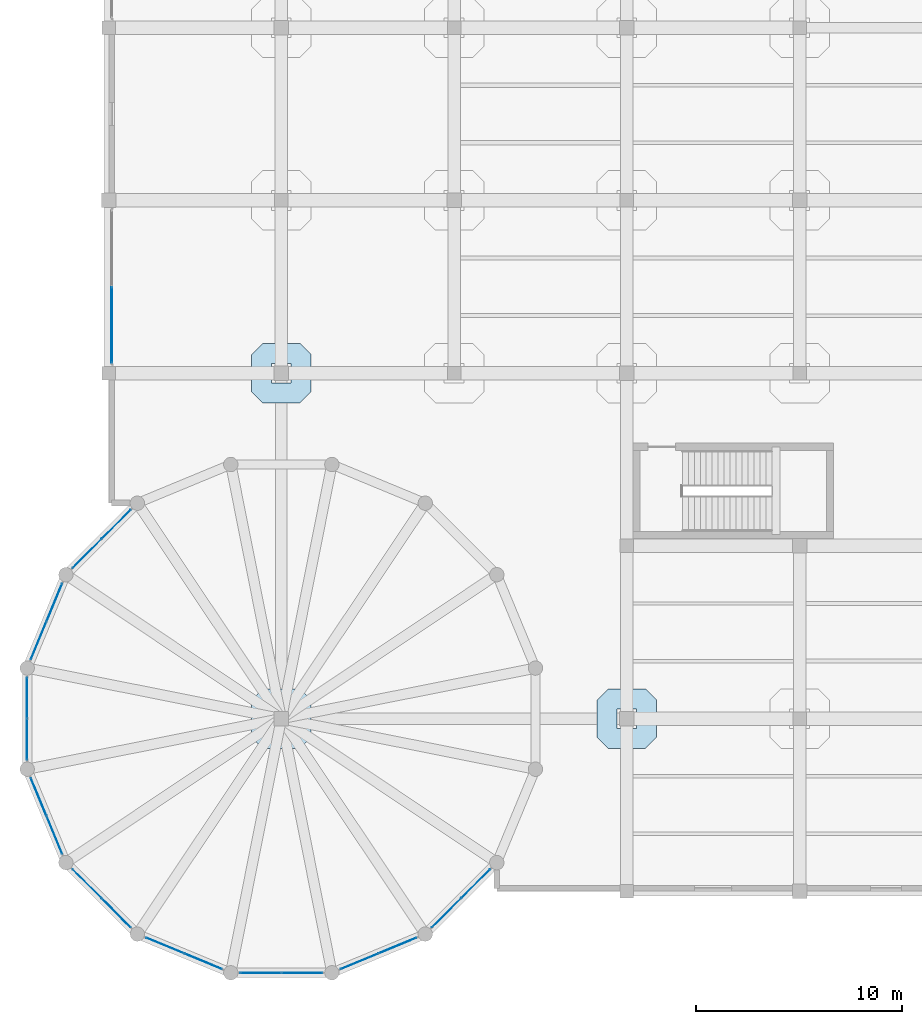
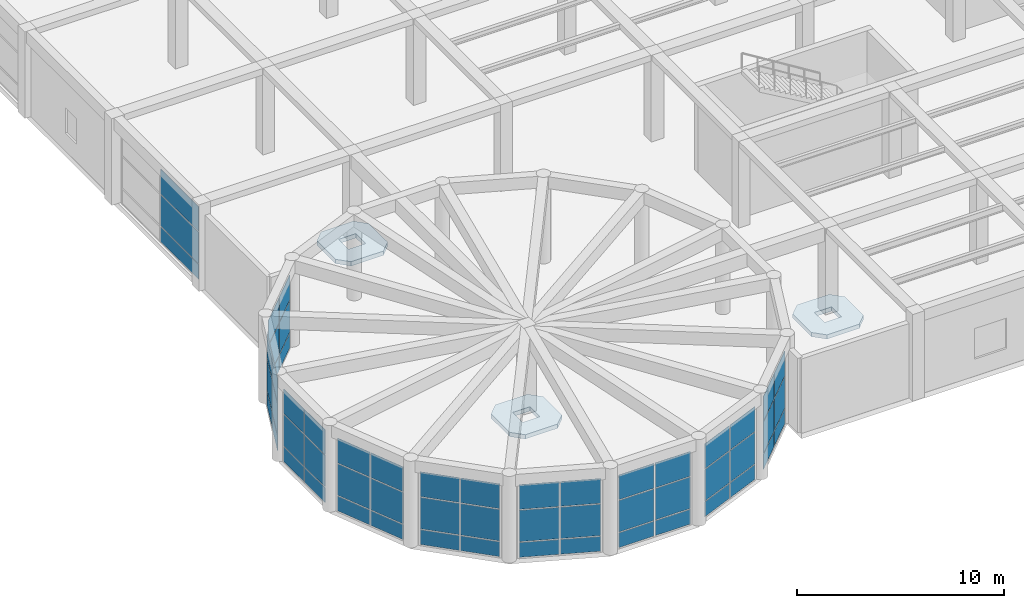
# One storey, part 68 of 96: 57 plates, 3 slabs, 10 elements without a shape of their own.
"""IFC4 building model written with IfcOpenShell, lengths in metres."""

from ifc_helpers import new_model, si_unit, direction, frame, origin, origin_2d, place, context, subcontext, project, spatial, polyline, rectangle, outline, extrude, material, layer, layer_set, type_object, element, aggregate, save


model = new_model("IFC4")

# Units and contexts
model_context = context("Model", 3, precision=1e-05, world=origin(), true_north=direction((0.0, 1.0)))
body_context = subcontext(model_context, "Body", "Model", "MODEL_VIEW")
ifc_project = project(units=[si_unit("LENGTHUNIT", "METRE"), si_unit("AREAUNIT", "SQUARE_METRE"), si_unit("VOLUMEUNIT", "CUBIC_METRE"), si_unit("PLANEANGLEUNIT", "RADIAN"), si_unit("MASSUNIT", "GRAM", prefix="KILO")], contexts=[model_context])

# Site, building, storey
site_placement = place(None, origin())
site = spatial("IfcSite", under=ifc_project, at=site_placement, CompositionType="ELEMENT")
building_placement = place(site_placement, origin())
building = spatial("IfcBuilding", under=site, at=building_placement, Name="Almacenes y Pasaje Nevantli", CompositionType="ELEMENT")
storey_placement = place(building_placement, frame((0.0, 0.0, 6.0)))
storey = spatial("IfcBuildingStorey", under=building, at=storey_placement, Name="L02", CompositionType="ELEMENT", Elevation=6.0)

# Curtain wall, plates
ifc_material_1 = material(Name="Thermally Broken Aluminium and Low-E Glass", Category="aluminium")
curtain_wall_type_1 = type_object("IfcCurtainWallType", Name="CW-UNIT-ROTUNDA", PredefinedType="USERDEFINED", material=ifc_material_1)
curtain_wall_1_placement = place(storey_placement, origin())
curtain_wall_1 = element("IfcCurtainWall", 1, at=curtain_wall_1_placement, inside=storey, type_object=curtain_wall_type_1, Name="L02 Corner Rotunda Faceted Curtain Wall Facet #6", ObjectType="UNITIZED CURTAIN WALL", PredefinedType="USERDEFINED")
ifc_material_2 = material(Name="Tempered Clear Storefront Glazing", Category="glass")
ifc_layer_1 = layer(ifc_material_2, 0.02392578125)
ifc_layer_set_1 = layer_set([ifc_layer_1], Name="Tempered Clear Storefront Glazing")
plate_type_1 = type_object("IfcPlateType", Name="PL-IGU-24", PredefinedType="CURTAIN_PANEL", material=ifc_layer_set_1)
plate_1_placement = place(storey_placement, frame((0.373291015625, 17.85009765625, 0.050048828125), z_axis=(0.0, 0.0, 1.0), x_axis=(-0.707106781187, -0.707106781187, 0.0)))
plate_1 = element("IfcPlate", 2, at=plate_1_placement, type_object=plate_type_1, Name="CW-L02-025 panel 1.1", PredefinedType="CURTAIN_PANEL", context=body_context, shape_type="SweptSolid", body=[
    extrude(rectangle(XDim=1.963134765625, YDim=0.02392578125, at=origin_2d()), origin(), (0.0, 0.0, 1.0), 0.875),
])
plate_2_placement = place(storey_placement, frame((0.373291015625, 17.85009765625, 0.974853515625), z_axis=(0.0, 0.0, 1.0), x_axis=(-0.707106781187, -0.707106781187, 0.0)))
plate_2 = element("IfcPlate", 3, at=plate_2_placement, type_object=plate_type_1, Name="CW-L02-025 panel 1.2", PredefinedType="CURTAIN_PANEL", context=body_context, shape_type="SweptSolid", body=[
    extrude(rectangle(XDim=1.963134765625, YDim=0.02392578125, at=origin_2d()), origin(), (0.0, 0.0, 1.0), 1.85009765625),
])
plate_3_placement = place(storey_placement, frame((0.373291015625, 17.85009765625, 2.875), z_axis=(0.0, 0.0, 1.0), x_axis=(-0.707106781187, -0.707106781187, 0.0)))
plate_3 = element("IfcPlate", 4, at=plate_3_placement, type_object=plate_type_1, Name="CW-L02-025 panel 1.3", PredefinedType="CURTAIN_PANEL", context=body_context, shape_type="SweptSolid", body=[
    extrude(rectangle(XDim=1.963134765625, YDim=0.02392578125, at=origin_2d()), origin(), (0.0, 0.0, 1.0), 1.455078125),
])
plate_4_placement = place(storey_placement, frame((-1.050048828125, 16.426513671875, 0.050048828125), z_axis=(0.0, 0.0, 1.0), x_axis=(-0.707106781187, -0.707106781187, 0.0)))
plate_4 = element("IfcPlate", 5, at=plate_4_placement, type_object=plate_type_1, Name="CW-L02-025 panel 2.1", PredefinedType="CURTAIN_PANEL", context=body_context, shape_type="SweptSolid", body=[
    extrude(rectangle(XDim=1.963134765625, YDim=0.02392578125, at=origin_2d()), origin(), (0.0, 0.0, 1.0), 0.875),
])
plate_5_placement = place(storey_placement, frame((-1.050048828125, 16.426513671875, 0.974853515625), z_axis=(0.0, 0.0, 1.0), x_axis=(-0.707106781187, -0.707106781187, 0.0)))
plate_5 = element("IfcPlate", 6, at=plate_5_placement, type_object=plate_type_1, Name="CW-L02-025 panel 2.2", PredefinedType="CURTAIN_PANEL", context=body_context, shape_type="SweptSolid", body=[
    extrude(rectangle(XDim=1.963134765625, YDim=0.02392578125, at=origin_2d()), origin(), (0.0, 0.0, 1.0), 1.85009765625),
])
plate_6_placement = place(storey_placement, frame((-1.050048828125, 16.426513671875, 2.875), z_axis=(0.0, 0.0, 1.0), x_axis=(-0.707106781187, -0.707106781187, 0.0)))
plate_6 = element("IfcPlate", 7, at=plate_6_placement, type_object=plate_type_1, Name="CW-L02-025 panel 2.3", PredefinedType="CURTAIN_PANEL", context=body_context, shape_type="SweptSolid", body=[
    extrude(rectangle(XDim=1.963134765625, YDim=0.02392578125, at=origin_2d()), origin(), (0.0, 0.0, 1.0), 1.455078125),
])
aggregate(curtain_wall_1, [plate_1, plate_2, plate_3, plate_4, plate_5, plate_6])

curtain_wall_2_placement = place(storey_placement, origin())
curtain_wall_2 = element("IfcCurtainWall", 8, at=curtain_wall_2_placement, inside=storey, type_object=curtain_wall_type_1, Name="L02 Corner Rotunda Faceted Curtain Wall Facet #7", ObjectType="UNITIZED CURTAIN WALL", PredefinedType="USERDEFINED")
plate_7_placement = place(storey_placement, frame((-2.632080078125, 14.05908203125, 0.050048828125), z_axis=(0.0, 0.0, 1.0), x_axis=(-0.382698450865, -0.923873311502, 0.0)))
plate_7 = element("IfcPlate", 9, at=plate_7_placement, type_object=plate_type_1, Name="CW-L02-026 panel 1.1", PredefinedType="CURTAIN_PANEL", context=body_context, shape_type="SweptSolid", body=[
    extrude(rectangle(XDim=1.963134765625, YDim=0.02392578125, at=origin_2d()), origin(), (0.0, 0.0, 1.0), 0.875),
])
plate_8_placement = place(storey_placement, frame((-2.632080078125, 14.05908203125, 0.974853515625), z_axis=(0.0, 0.0, 1.0), x_axis=(-0.382698450865, -0.923873311502, 0.0)))
plate_8 = element("IfcPlate", 10, at=plate_8_placement, type_object=plate_type_1, Name="CW-L02-026 panel 1.2", PredefinedType="CURTAIN_PANEL", context=body_context, shape_type="SweptSolid", body=[
    extrude(rectangle(XDim=1.963134765625, YDim=0.02392578125, at=origin_2d()), origin(), (0.0, 0.0, 1.0), 1.85009765625),
])
plate_9_placement = place(storey_placement, frame((-2.632080078125, 14.05908203125, 2.875), z_axis=(0.0, 0.0, 1.0), x_axis=(-0.382698450865, -0.923873311502, 0.0)))
plate_9 = element("IfcPlate", 11, at=plate_9_placement, type_object=plate_type_1, Name="CW-L02-026 panel 1.3", PredefinedType="CURTAIN_PANEL", context=body_context, shape_type="SweptSolid", body=[
    extrude(rectangle(XDim=1.963134765625, YDim=0.02392578125, at=origin_2d()), origin(), (0.0, 0.0, 1.0), 1.455078125),
])
plate_10_placement = place(storey_placement, frame((-3.40234375, 12.19921875, 0.050048828125), z_axis=(0.0, 0.0, 1.0), x_axis=(-0.382698450865, -0.923873311502, 0.0)))
plate_10 = element("IfcPlate", 12, at=plate_10_placement, type_object=plate_type_1, Name="CW-L02-026 panel 2.1", PredefinedType="CURTAIN_PANEL", context=body_context, shape_type="SweptSolid", body=[
    extrude(rectangle(XDim=1.963134765625, YDim=0.02392578125, at=origin_2d()), origin(), (0.0, 0.0, 1.0), 0.875),
])
plate_11_placement = place(storey_placement, frame((-3.40234375, 12.19921875, 0.974853515625), z_axis=(0.0, 0.0, 1.0), x_axis=(-0.382698450865, -0.923873311502, 0.0)))
plate_11 = element("IfcPlate", 13, at=plate_11_placement, type_object=plate_type_1, Name="CW-L02-026 panel 2.2", PredefinedType="CURTAIN_PANEL", context=body_context, shape_type="SweptSolid", body=[
    extrude(rectangle(XDim=1.963134765625, YDim=0.02392578125, at=origin_2d()), origin(), (0.0, 0.0, 1.0), 1.85009765625),
])
plate_12_placement = place(storey_placement, frame((-3.40234375, 12.19921875, 2.875), z_axis=(0.0, 0.0, 1.0), x_axis=(-0.382698450865, -0.923873311502, 0.0)))
plate_12 = element("IfcPlate", 14, at=plate_12_placement, type_object=plate_type_1, Name="CW-L02-026 panel 2.3", PredefinedType="CURTAIN_PANEL", context=body_context, shape_type="SweptSolid", body=[
    extrude(rectangle(XDim=1.963134765625, YDim=0.02392578125, at=origin_2d()), origin(), (0.0, 0.0, 1.0), 1.455078125),
])
aggregate(curtain_wall_2, [plate_7, plate_8, plate_9, plate_10, plate_11, plate_12])

curtain_wall_3_placement = place(storey_placement, origin())
curtain_wall_3 = element("IfcCurtainWall", 15, at=curtain_wall_3_placement, inside=storey, type_object=curtain_wall_type_1, Name="L02 Corner Rotunda Faceted Curtain Wall Facet #8", ObjectType="UNITIZED CURTAIN WALL", PredefinedType="USERDEFINED")
plate_13_placement = place(storey_placement, frame((-3.9580078125, 9.406494140625, 0.050048828125), z_axis=(0.0, 0.0, 1.0), x_axis=(0.0, -1.0, 0.0)))
plate_13 = element("IfcPlate", 16, at=plate_13_placement, type_object=plate_type_1, Name="CW-L02-027 panel 1.1", PredefinedType="CURTAIN_PANEL", context=body_context, shape_type="SweptSolid", body=[
    extrude(rectangle(XDim=1.963134765625, YDim=0.02392578125, at=origin_2d()), origin(), (0.0, 0.0, 1.0), 0.875),
])
plate_14_placement = place(storey_placement, frame((-3.9580078125, 9.406494140625, 0.974853515625), z_axis=(0.0, 0.0, 1.0), x_axis=(0.0, -1.0, 0.0)))
plate_14 = element("IfcPlate", 17, at=plate_14_placement, type_object=plate_type_1, Name="CW-L02-027 panel 1.2", PredefinedType="CURTAIN_PANEL", context=body_context, shape_type="SweptSolid", body=[
    extrude(rectangle(XDim=1.963134765625, YDim=0.02392578125, at=origin_2d()), origin(), (0.0, 0.0, 1.0), 1.85009765625),
])
plate_15_placement = place(storey_placement, frame((-3.9580078125, 9.406494140625, 2.875), z_axis=(0.0, 0.0, 1.0), x_axis=(0.0, -1.0, 0.0)))
plate_15 = element("IfcPlate", 18, at=plate_15_placement, type_object=plate_type_1, Name="CW-L02-027 panel 1.3", PredefinedType="CURTAIN_PANEL", context=body_context, shape_type="SweptSolid", body=[
    extrude(rectangle(XDim=1.963134765625, YDim=0.02392578125, at=origin_2d()), origin(), (0.0, 0.0, 1.0), 1.455078125),
])
plate_16_placement = place(storey_placement, frame((-3.9580078125, 7.3935546875, 0.050048828125), z_axis=(0.0, 0.0, 1.0), x_axis=(0.0, -1.0, 0.0)))
plate_16 = element("IfcPlate", 19, at=plate_16_placement, type_object=plate_type_1, Name="CW-L02-027 panel 2.1", PredefinedType="CURTAIN_PANEL", context=body_context, shape_type="SweptSolid", body=[
    extrude(rectangle(XDim=1.963134765625, YDim=0.02392578125, at=origin_2d()), origin(), (0.0, 0.0, 1.0), 0.875),
])
plate_17_placement = place(storey_placement, frame((-3.9580078125, 7.3935546875, 0.974853515625), z_axis=(0.0, 0.0, 1.0), x_axis=(0.0, -1.0, 0.0)))
plate_17 = element("IfcPlate", 20, at=plate_17_placement, type_object=plate_type_1, Name="CW-L02-027 panel 2.2", PredefinedType="CURTAIN_PANEL", context=body_context, shape_type="SweptSolid", body=[
    extrude(rectangle(XDim=1.963134765625, YDim=0.02392578125, at=origin_2d()), origin(), (0.0, 0.0, 1.0), 1.85009765625),
])
plate_18_placement = place(storey_placement, frame((-3.9580078125, 7.3935546875, 2.875), z_axis=(0.0, 0.0, 1.0), x_axis=(0.0, -1.0, 0.0)))
plate_18 = element("IfcPlate", 21, at=plate_18_placement, type_object=plate_type_1, Name="CW-L02-027 panel 2.3", PredefinedType="CURTAIN_PANEL", context=body_context, shape_type="SweptSolid", body=[
    extrude(rectangle(XDim=1.963134765625, YDim=0.02392578125, at=origin_2d()), origin(), (0.0, 0.0, 1.0), 1.455078125),
])
aggregate(curtain_wall_3, [plate_13, plate_14, plate_15, plate_16, plate_17, plate_18])

curtain_wall_4_placement = place(storey_placement, origin())
curtain_wall_4 = element("IfcCurtainWall", 22, at=curtain_wall_4_placement, inside=storey, type_object=curtain_wall_type_1, Name="L02 Corner Rotunda Faceted Curtain Wall Facet #9", ObjectType="UNITIZED CURTAIN WALL", PredefinedType="USERDEFINED")
plate_19_placement = place(storey_placement, frame((-3.40234375, 4.600830078125, 0.050048828125), z_axis=(0.0, 0.0, 1.0), x_axis=(0.382698450865, -0.923873311502, 0.0)))
plate_19 = element("IfcPlate", 23, at=plate_19_placement, type_object=plate_type_1, Name="CW-L02-028 panel 1.1", PredefinedType="CURTAIN_PANEL", context=body_context, shape_type="SweptSolid", body=[
    extrude(rectangle(XDim=1.963134765625, YDim=0.02392578125, at=origin_2d()), origin(), (0.0, 0.0, 1.0), 0.875),
])
plate_20_placement = place(storey_placement, frame((-3.40234375, 4.600830078125, 0.974853515625), z_axis=(0.0, 0.0, 1.0), x_axis=(0.382698450865, -0.923873311502, 0.0)))
plate_20 = element("IfcPlate", 24, at=plate_20_placement, type_object=plate_type_1, Name="CW-L02-028 panel 1.2", PredefinedType="CURTAIN_PANEL", context=body_context, shape_type="SweptSolid", body=[
    extrude(rectangle(XDim=1.963134765625, YDim=0.02392578125, at=origin_2d()), origin(), (0.0, 0.0, 1.0), 1.85009765625),
])
plate_21_placement = place(storey_placement, frame((-3.40234375, 4.600830078125, 2.875), z_axis=(0.0, 0.0, 1.0), x_axis=(0.382698450865, -0.923873311502, 0.0)))
plate_21 = element("IfcPlate", 25, at=plate_21_placement, type_object=plate_type_1, Name="CW-L02-028 panel 1.3", PredefinedType="CURTAIN_PANEL", context=body_context, shape_type="SweptSolid", body=[
    extrude(rectangle(XDim=1.963134765625, YDim=0.02392578125, at=origin_2d()), origin(), (0.0, 0.0, 1.0), 1.455078125),
])
plate_22_placement = place(storey_placement, frame((-2.632080078125, 2.740966796875, 0.050048828125), z_axis=(0.0, 0.0, 1.0), x_axis=(0.382698450865, -0.923873311502, 0.0)))
plate_22 = element("IfcPlate", 26, at=plate_22_placement, type_object=plate_type_1, Name="CW-L02-028 panel 2.1", PredefinedType="CURTAIN_PANEL", context=body_context, shape_type="SweptSolid", body=[
    extrude(rectangle(XDim=1.963134765625, YDim=0.02392578125, at=origin_2d()), origin(), (0.0, 0.0, 1.0), 0.875),
])
plate_23_placement = place(storey_placement, frame((-2.632080078125, 2.740966796875, 0.974853515625), z_axis=(0.0, 0.0, 1.0), x_axis=(0.382698450865, -0.923873311502, 0.0)))
plate_23 = element("IfcPlate", 27, at=plate_23_placement, type_object=plate_type_1, Name="CW-L02-028 panel 2.2", PredefinedType="CURTAIN_PANEL", context=body_context, shape_type="SweptSolid", body=[
    extrude(rectangle(XDim=1.963134765625, YDim=0.02392578125, at=origin_2d()), origin(), (0.0, 0.0, 1.0), 1.85009765625),
])
plate_24_placement = place(storey_placement, frame((-2.632080078125, 2.740966796875, 2.875), z_axis=(0.0, 0.0, 1.0), x_axis=(0.382698450865, -0.923873311502, 0.0)))
plate_24 = element("IfcPlate", 28, at=plate_24_placement, type_object=plate_type_1, Name="CW-L02-028 panel 2.3", PredefinedType="CURTAIN_PANEL", context=body_context, shape_type="SweptSolid", body=[
    extrude(rectangle(XDim=1.963134765625, YDim=0.02392578125, at=origin_2d()), origin(), (0.0, 0.0, 1.0), 1.455078125),
])
aggregate(curtain_wall_4, [plate_19, plate_20, plate_21, plate_22, plate_23, plate_24])

curtain_wall_5_placement = place(storey_placement, origin())
curtain_wall_5 = element("IfcCurtainWall", 29, at=curtain_wall_5_placement, inside=storey, type_object=curtain_wall_type_1, Name="L02 Corner Rotunda Faceted Curtain Wall Facet #10", ObjectType="UNITIZED CURTAIN WALL", PredefinedType="USERDEFINED")
plate_25_placement = place(storey_placement, frame((-1.050048828125, 0.373291015625, 0.050048828125), z_axis=(0.0, 0.0, 1.0), x_axis=(0.707106781187, -0.707106781187, 0.0)))
plate_25 = element("IfcPlate", 30, at=plate_25_placement, type_object=plate_type_1, Name="CW-L02-029 panel 1.1", PredefinedType="CURTAIN_PANEL", context=body_context, shape_type="SweptSolid", body=[
    extrude(rectangle(XDim=1.963134765625, YDim=0.02392578125, at=origin_2d()), origin(), (0.0, 0.0, 1.0), 0.875),
])
plate_26_placement = place(storey_placement, frame((-1.050048828125, 0.373291015625, 0.974853515625), z_axis=(0.0, 0.0, 1.0), x_axis=(0.707106781187, -0.707106781187, 0.0)))
plate_26 = element("IfcPlate", 31, at=plate_26_placement, type_object=plate_type_1, Name="CW-L02-029 panel 1.2", PredefinedType="CURTAIN_PANEL", context=body_context, shape_type="SweptSolid", body=[
    extrude(rectangle(XDim=1.963134765625, YDim=0.02392578125, at=origin_2d()), origin(), (0.0, 0.0, 1.0), 1.85009765625),
])
plate_27_placement = place(storey_placement, frame((-1.050048828125, 0.373291015625, 2.875), z_axis=(0.0, 0.0, 1.0), x_axis=(0.707106781187, -0.707106781187, 0.0)))
plate_27 = element("IfcPlate", 32, at=plate_27_placement, type_object=plate_type_1, Name="CW-L02-029 panel 1.3", PredefinedType="CURTAIN_PANEL", context=body_context, shape_type="SweptSolid", body=[
    extrude(rectangle(XDim=1.963134765625, YDim=0.02392578125, at=origin_2d()), origin(), (0.0, 0.0, 1.0), 1.455078125),
])
plate_28_placement = place(storey_placement, frame((0.373291015625, -1.050048828125, 0.050048828125), z_axis=(0.0, 0.0, 1.0), x_axis=(0.707106781187, -0.707106781187, 0.0)))
plate_28 = element("IfcPlate", 33, at=plate_28_placement, type_object=plate_type_1, Name="CW-L02-029 panel 2.1", PredefinedType="CURTAIN_PANEL", context=body_context, shape_type="SweptSolid", body=[
    extrude(rectangle(XDim=1.963134765625, YDim=0.02392578125, at=origin_2d()), origin(), (0.0, 0.0, 1.0), 0.875),
])
plate_29_placement = place(storey_placement, frame((0.373291015625, -1.050048828125, 0.974853515625), z_axis=(0.0, 0.0, 1.0), x_axis=(0.707106781187, -0.707106781187, 0.0)))
plate_29 = element("IfcPlate", 34, at=plate_29_placement, type_object=plate_type_1, Name="CW-L02-029 panel 2.2", PredefinedType="CURTAIN_PANEL", context=body_context, shape_type="SweptSolid", body=[
    extrude(rectangle(XDim=1.963134765625, YDim=0.02392578125, at=origin_2d()), origin(), (0.0, 0.0, 1.0), 1.85009765625),
])
plate_30_placement = place(storey_placement, frame((0.373291015625, -1.050048828125, 2.875), z_axis=(0.0, 0.0, 1.0), x_axis=(0.707106781187, -0.707106781187, 0.0)))
plate_30 = element("IfcPlate", 35, at=plate_30_placement, type_object=plate_type_1, Name="CW-L02-029 panel 2.3", PredefinedType="CURTAIN_PANEL", context=body_context, shape_type="SweptSolid", body=[
    extrude(rectangle(XDim=1.963134765625, YDim=0.02392578125, at=origin_2d()), origin(), (0.0, 0.0, 1.0), 1.455078125),
])
aggregate(curtain_wall_5, [plate_25, plate_26, plate_27, plate_28, plate_29, plate_30])

curtain_wall_6_placement = place(storey_placement, origin())
curtain_wall_6 = element("IfcCurtainWall", 36, at=curtain_wall_6_placement, inside=storey, type_object=curtain_wall_type_1, Name="L02 Corner Rotunda Faceted Curtain Wall Facet #11", ObjectType="UNITIZED CURTAIN WALL", PredefinedType="USERDEFINED")
plate_31_placement = place(storey_placement, frame((2.740966796875, -2.632080078125, 0.050048828125), z_axis=(0.0, 0.0, 1.0), x_axis=(0.923873311502, -0.382698450865, 0.0)))
plate_31 = element("IfcPlate", 37, at=plate_31_placement, type_object=plate_type_1, Name="CW-L02-030 panel 1.1", PredefinedType="CURTAIN_PANEL", context=body_context, shape_type="SweptSolid", body=[
    extrude(rectangle(XDim=1.963134765625, YDim=0.02392578125, at=origin_2d()), origin(), (0.0, 0.0, 1.0), 0.875),
])
plate_32_placement = place(storey_placement, frame((2.740966796875, -2.632080078125, 0.974853515625), z_axis=(0.0, 0.0, 1.0), x_axis=(0.923873311502, -0.382698450865, 0.0)))
plate_32 = element("IfcPlate", 38, at=plate_32_placement, type_object=plate_type_1, Name="CW-L02-030 panel 1.2", PredefinedType="CURTAIN_PANEL", context=body_context, shape_type="SweptSolid", body=[
    extrude(rectangle(XDim=1.963134765625, YDim=0.02392578125, at=origin_2d()), origin(), (0.0, 0.0, 1.0), 1.85009765625),
])
plate_33_placement = place(storey_placement, frame((2.740966796875, -2.632080078125, 2.875), z_axis=(0.0, 0.0, 1.0), x_axis=(0.923873311502, -0.382698450865, 0.0)))
plate_33 = element("IfcPlate", 39, at=plate_33_placement, type_object=plate_type_1, Name="CW-L02-030 panel 1.3", PredefinedType="CURTAIN_PANEL", context=body_context, shape_type="SweptSolid", body=[
    extrude(rectangle(XDim=1.963134765625, YDim=0.02392578125, at=origin_2d()), origin(), (0.0, 0.0, 1.0), 1.455078125),
])
plate_34_placement = place(storey_placement, frame((4.600830078125, -3.40234375, 0.050048828125), z_axis=(0.0, 0.0, 1.0), x_axis=(0.923873311502, -0.382698450865, 0.0)))
plate_34 = element("IfcPlate", 40, at=plate_34_placement, type_object=plate_type_1, Name="CW-L02-030 panel 2.1", PredefinedType="CURTAIN_PANEL", context=body_context, shape_type="SweptSolid", body=[
    extrude(rectangle(XDim=1.963134765625, YDim=0.02392578125, at=origin_2d()), origin(), (0.0, 0.0, 1.0), 0.875),
])
plate_35_placement = place(storey_placement, frame((4.600830078125, -3.40234375, 0.974853515625), z_axis=(0.0, 0.0, 1.0), x_axis=(0.923873311502, -0.382698450865, 0.0)))
plate_35 = element("IfcPlate", 41, at=plate_35_placement, type_object=plate_type_1, Name="CW-L02-030 panel 2.2", PredefinedType="CURTAIN_PANEL", context=body_context, shape_type="SweptSolid", body=[
    extrude(rectangle(XDim=1.963134765625, YDim=0.02392578125, at=origin_2d()), origin(), (0.0, 0.0, 1.0), 1.85009765625),
])
plate_36_placement = place(storey_placement, frame((4.600830078125, -3.40234375, 2.875), z_axis=(0.0, 0.0, 1.0), x_axis=(0.923873311502, -0.382698450865, 0.0)))
plate_36 = element("IfcPlate", 42, at=plate_36_placement, type_object=plate_type_1, Name="CW-L02-030 panel 2.3", PredefinedType="CURTAIN_PANEL", context=body_context, shape_type="SweptSolid", body=[
    extrude(rectangle(XDim=1.963134765625, YDim=0.02392578125, at=origin_2d()), origin(), (0.0, 0.0, 1.0), 1.455078125),
])
aggregate(curtain_wall_6, [plate_31, plate_32, plate_33, plate_34, plate_35, plate_36])

curtain_wall_7_placement = place(storey_placement, origin())
curtain_wall_7 = element("IfcCurtainWall", 43, at=curtain_wall_7_placement, inside=storey, type_object=curtain_wall_type_1, Name="L02 Corner Rotunda Faceted Curtain Wall Facet #12", ObjectType="UNITIZED CURTAIN WALL", PredefinedType="USERDEFINED")
plate_37_placement = place(storey_placement, frame((7.3935546875, -3.9580078125, 0.050048828125), z_axis=(0.0, 0.0, 1.0), x_axis=(1.0, 0.0, 0.0)))
plate_37 = element("IfcPlate", 44, at=plate_37_placement, type_object=plate_type_1, Name="CW-L02-031 panel 1.1", PredefinedType="CURTAIN_PANEL", context=body_context, shape_type="SweptSolid", body=[
    extrude(rectangle(XDim=1.963134765625, YDim=0.02392578125, at=origin_2d()), origin(), (0.0, 0.0, 1.0), 0.875),
])
plate_38_placement = place(storey_placement, frame((7.3935546875, -3.9580078125, 0.974853515625), z_axis=(0.0, 0.0, 1.0), x_axis=(1.0, 0.0, 0.0)))
plate_38 = element("IfcPlate", 45, at=plate_38_placement, type_object=plate_type_1, Name="CW-L02-031 panel 1.2", PredefinedType="CURTAIN_PANEL", context=body_context, shape_type="SweptSolid", body=[
    extrude(rectangle(XDim=1.963134765625, YDim=0.02392578125, at=origin_2d()), origin(), (0.0, 0.0, 1.0), 1.85009765625),
])
plate_39_placement = place(storey_placement, frame((7.3935546875, -3.9580078125, 2.875), z_axis=(0.0, 0.0, 1.0), x_axis=(1.0, 0.0, 0.0)))
plate_39 = element("IfcPlate", 46, at=plate_39_placement, type_object=plate_type_1, Name="CW-L02-031 panel 1.3", PredefinedType="CURTAIN_PANEL", context=body_context, shape_type="SweptSolid", body=[
    extrude(rectangle(XDim=1.963134765625, YDim=0.02392578125, at=origin_2d()), origin(), (0.0, 0.0, 1.0), 1.455078125),
])
plate_40_placement = place(storey_placement, frame((9.406494140625, -3.9580078125, 0.050048828125), z_axis=(0.0, 0.0, 1.0), x_axis=(1.0, 0.0, 0.0)))
plate_40 = element("IfcPlate", 47, at=plate_40_placement, type_object=plate_type_1, Name="CW-L02-031 panel 2.1", PredefinedType="CURTAIN_PANEL", context=body_context, shape_type="SweptSolid", body=[
    extrude(rectangle(XDim=1.963134765625, YDim=0.02392578125, at=origin_2d()), origin(), (0.0, 0.0, 1.0), 0.875),
])
plate_41_placement = place(storey_placement, frame((9.406494140625, -3.9580078125, 0.974853515625), z_axis=(0.0, 0.0, 1.0), x_axis=(1.0, 0.0, 0.0)))
plate_41 = element("IfcPlate", 48, at=plate_41_placement, type_object=plate_type_1, Name="CW-L02-031 panel 2.2", PredefinedType="CURTAIN_PANEL", context=body_context, shape_type="SweptSolid", body=[
    extrude(rectangle(XDim=1.963134765625, YDim=0.02392578125, at=origin_2d()), origin(), (0.0, 0.0, 1.0), 1.85009765625),
])
plate_42_placement = place(storey_placement, frame((9.406494140625, -3.9580078125, 2.875), z_axis=(0.0, 0.0, 1.0), x_axis=(1.0, 0.0, 0.0)))
plate_42 = element("IfcPlate", 49, at=plate_42_placement, type_object=plate_type_1, Name="CW-L02-031 panel 2.3", PredefinedType="CURTAIN_PANEL", context=body_context, shape_type="SweptSolid", body=[
    extrude(rectangle(XDim=1.963134765625, YDim=0.02392578125, at=origin_2d()), origin(), (0.0, 0.0, 1.0), 1.455078125),
])
aggregate(curtain_wall_7, [plate_37, plate_38, plate_39, plate_40, plate_41, plate_42])

curtain_wall_8_placement = place(storey_placement, origin())
curtain_wall_8 = element("IfcCurtainWall", 50, at=curtain_wall_8_placement, inside=storey, type_object=curtain_wall_type_1, Name="L02 Corner Rotunda Faceted Curtain Wall Facet #13", ObjectType="UNITIZED CURTAIN WALL", PredefinedType="USERDEFINED")
plate_43_placement = place(storey_placement, frame((12.19921875, -3.40234375, 0.050048828125), z_axis=(0.0, 0.0, 1.0), x_axis=(0.923873311502, 0.382698450865, 0.0)))
plate_43 = element("IfcPlate", 51, at=plate_43_placement, type_object=plate_type_1, Name="CW-L02-032 panel 1.1", PredefinedType="CURTAIN_PANEL", context=body_context, shape_type="SweptSolid", body=[
    extrude(rectangle(XDim=1.963134765625, YDim=0.02392578125, at=origin_2d()), origin(), (0.0, 0.0, 1.0), 0.875),
])
plate_44_placement = place(storey_placement, frame((12.19921875, -3.40234375, 0.974853515625), z_axis=(0.0, 0.0, 1.0), x_axis=(0.923873311502, 0.382698450865, 0.0)))
plate_44 = element("IfcPlate", 52, at=plate_44_placement, type_object=plate_type_1, Name="CW-L02-032 panel 1.2", PredefinedType="CURTAIN_PANEL", context=body_context, shape_type="SweptSolid", body=[
    extrude(rectangle(XDim=1.963134765625, YDim=0.02392578125, at=origin_2d()), origin(), (0.0, 0.0, 1.0), 1.85009765625),
])
plate_45_placement = place(storey_placement, frame((12.19921875, -3.40234375, 2.875), z_axis=(0.0, 0.0, 1.0), x_axis=(0.923873311502, 0.382698450865, 0.0)))
plate_45 = element("IfcPlate", 53, at=plate_45_placement, type_object=plate_type_1, Name="CW-L02-032 panel 1.3", PredefinedType="CURTAIN_PANEL", context=body_context, shape_type="SweptSolid", body=[
    extrude(rectangle(XDim=1.963134765625, YDim=0.02392578125, at=origin_2d()), origin(), (0.0, 0.0, 1.0), 1.455078125),
])
plate_46_placement = place(storey_placement, frame((14.05908203125, -2.632080078125, 0.050048828125), z_axis=(0.0, 0.0, 1.0), x_axis=(0.923873311502, 0.382698450865, 0.0)))
plate_46 = element("IfcPlate", 54, at=plate_46_placement, type_object=plate_type_1, Name="CW-L02-032 panel 2.1", PredefinedType="CURTAIN_PANEL", context=body_context, shape_type="SweptSolid", body=[
    extrude(rectangle(XDim=1.963134765625, YDim=0.02392578125, at=origin_2d()), origin(), (0.0, 0.0, 1.0), 0.875),
])
plate_47_placement = place(storey_placement, frame((14.05908203125, -2.632080078125, 0.974853515625), z_axis=(0.0, 0.0, 1.0), x_axis=(0.923873311502, 0.382698450865, 0.0)))
plate_47 = element("IfcPlate", 55, at=plate_47_placement, type_object=plate_type_1, Name="CW-L02-032 panel 2.2", PredefinedType="CURTAIN_PANEL", context=body_context, shape_type="SweptSolid", body=[
    extrude(rectangle(XDim=1.963134765625, YDim=0.02392578125, at=origin_2d()), origin(), (0.0, 0.0, 1.0), 1.85009765625),
])
plate_48_placement = place(storey_placement, frame((14.05908203125, -2.632080078125, 2.875), z_axis=(0.0, 0.0, 1.0), x_axis=(0.923873311502, 0.382698450865, 0.0)))
plate_48 = element("IfcPlate", 56, at=plate_48_placement, type_object=plate_type_1, Name="CW-L02-032 panel 2.3", PredefinedType="CURTAIN_PANEL", context=body_context, shape_type="SweptSolid", body=[
    extrude(rectangle(XDim=1.963134765625, YDim=0.02392578125, at=origin_2d()), origin(), (0.0, 0.0, 1.0), 1.455078125),
])
aggregate(curtain_wall_8, [plate_43, plate_44, plate_45, plate_46, plate_47, plate_48])

curtain_wall_9_placement = place(storey_placement, origin())
curtain_wall_9 = element("IfcCurtainWall", 57, at=curtain_wall_9_placement, inside=storey, type_object=curtain_wall_type_1, Name="L02 Corner Rotunda Faceted Curtain Wall Facet #14", ObjectType="UNITIZED CURTAIN WALL", PredefinedType="USERDEFINED")
plate_49_placement = place(storey_placement, frame((16.426513671875, -1.050048828125, 0.050048828125), z_axis=(0.0, 0.0, 1.0), x_axis=(0.707106781187, 0.707106781187, 0.0)))
plate_49 = element("IfcPlate", 58, at=plate_49_placement, type_object=plate_type_1, Name="CW-L02-033 panel 1.1", PredefinedType="CURTAIN_PANEL", context=body_context, shape_type="SweptSolid", body=[
    extrude(rectangle(XDim=1.963134765625, YDim=0.02392578125, at=origin_2d()), origin(), (0.0, 0.0, 1.0), 0.875),
])
plate_50_placement = place(storey_placement, frame((16.426513671875, -1.050048828125, 0.974853515625), z_axis=(0.0, 0.0, 1.0), x_axis=(0.707106781187, 0.707106781187, 0.0)))
plate_50 = element("IfcPlate", 59, at=plate_50_placement, type_object=plate_type_1, Name="CW-L02-033 panel 1.2", PredefinedType="CURTAIN_PANEL", context=body_context, shape_type="SweptSolid", body=[
    extrude(rectangle(XDim=1.963134765625, YDim=0.02392578125, at=origin_2d()), origin(), (0.0, 0.0, 1.0), 1.85009765625),
])
plate_51_placement = place(storey_placement, frame((16.426513671875, -1.050048828125, 2.875), z_axis=(0.0, 0.0, 1.0), x_axis=(0.707106781187, 0.707106781187, 0.0)))
plate_51 = element("IfcPlate", 60, at=plate_51_placement, type_object=plate_type_1, Name="CW-L02-033 panel 1.3", PredefinedType="CURTAIN_PANEL", context=body_context, shape_type="SweptSolid", body=[
    extrude(rectangle(XDim=1.963134765625, YDim=0.02392578125, at=origin_2d()), origin(), (0.0, 0.0, 1.0), 1.455078125),
])
plate_52_placement = place(storey_placement, frame((17.85009765625, 0.373291015625, 0.050048828125), z_axis=(0.0, 0.0, 1.0), x_axis=(0.707106781187, 0.707106781187, 0.0)))
plate_52 = element("IfcPlate", 61, at=plate_52_placement, type_object=plate_type_1, Name="CW-L02-033 panel 2.1", PredefinedType="CURTAIN_PANEL", context=body_context, shape_type="SweptSolid", body=[
    extrude(rectangle(XDim=1.963134765625, YDim=0.02392578125, at=origin_2d()), origin(), (0.0, 0.0, 1.0), 0.875),
])
plate_53_placement = place(storey_placement, frame((17.85009765625, 0.373291015625, 0.974853515625), z_axis=(0.0, 0.0, 1.0), x_axis=(0.707106781187, 0.707106781187, 0.0)))
plate_53 = element("IfcPlate", 62, at=plate_53_placement, type_object=plate_type_1, Name="CW-L02-033 panel 2.2", PredefinedType="CURTAIN_PANEL", context=body_context, shape_type="SweptSolid", body=[
    extrude(rectangle(XDim=1.963134765625, YDim=0.02392578125, at=origin_2d()), origin(), (0.0, 0.0, 1.0), 1.85009765625),
])
plate_54_placement = place(storey_placement, frame((17.85009765625, 0.373291015625, 2.875), z_axis=(0.0, 0.0, 1.0), x_axis=(0.707106781187, 0.707106781187, 0.0)))
plate_54 = element("IfcPlate", 63, at=plate_54_placement, type_object=plate_type_1, Name="CW-L02-033 panel 2.3", PredefinedType="CURTAIN_PANEL", context=body_context, shape_type="SweptSolid", body=[
    extrude(rectangle(XDim=1.963134765625, YDim=0.02392578125, at=origin_2d()), origin(), (0.0, 0.0, 1.0), 1.455078125),
])
aggregate(curtain_wall_9, [plate_49, plate_50, plate_51, plate_52, plate_53, plate_54])

ifc_material_3 = material(Name="Thermally Broken Aluminium and Low-E Glass", Category="aluminium")
curtain_wall_type_2 = type_object("IfcCurtainWallType", Name="CW-UNIT-PODIUM", PredefinedType="USERDEFINED", material=ifc_material_3)
curtain_wall_10_placement = place(storey_placement, origin())
curtain_wall_10 = element("IfcCurtainWall", 64, at=curtain_wall_10_placement, inside=storey, type_object=curtain_wall_type_2, Name="L02 West Avenue Unitized Curtain Wall Bay 4", ObjectType="UNITIZED CURTAIN WALL", PredefinedType="USERDEFINED")
ifc_material_4 = material(Name="Low-E Double Glazed Insulated Unit", Category="glass")
ifc_layer_2 = layer(ifc_material_4, 0.031982421875)
ifc_layer_set_2 = layer_set([ifc_layer_2], Name="Low-E Double Glazed Insulated Unit")
plate_type_2 = type_object("IfcPlateType", Name="PL-IGU-32", PredefinedType="CURTAIN_PANEL", material=ifc_layer_set_2)
plate_55_placement = place(storey_placement, frame((0.14990234375, 27.538818359375, 0.05517578125), z_axis=(0.0, 0.0, 1.0), x_axis=(0.0, 1.0, 0.0)))
plate_55 = element("IfcPlate", 65, at=plate_55_placement, type_object=plate_type_2, Name="CW-L02-015 panel 1.1", PredefinedType="CURTAIN_PANEL", context=body_context, shape_type="SweptSolid", body=[
    extrude(rectangle(XDim=3.66748046875, YDim=0.031982421875, at=origin_2d()), origin(), (0.0, 0.0, 1.0), 0.867431640625),
])
plate_56_placement = place(storey_placement, frame((0.14990234375, 27.538818359375, 0.9775390625), z_axis=(0.0, 0.0, 1.0), x_axis=(0.0, 1.0, 0.0)))
plate_56 = element("IfcPlate", 66, at=plate_56_placement, type_object=plate_type_2, Name="CW-L02-015 panel 1.2", PredefinedType="CURTAIN_PANEL", context=body_context, shape_type="SweptSolid", body=[
    extrude(rectangle(XDim=3.66748046875, YDim=0.031982421875, at=origin_2d()), origin(), (0.0, 0.0, 1.0), 1.844970703125),
])
plate_57_placement = place(storey_placement, frame((0.14990234375, 27.538818359375, 2.87744140625), z_axis=(0.0, 0.0, 1.0), x_axis=(0.0, 1.0, 0.0)))
plate_57 = element("IfcPlate", 67, at=plate_57_placement, type_object=plate_type_2, Name="CW-L02-015 panel 1.3", PredefinedType="CURTAIN_PANEL", context=body_context, shape_type="SweptSolid", body=[
    extrude(rectangle(XDim=3.66748046875, YDim=0.031982421875, at=origin_2d()), origin(), (0.0, 0.0, 1.0), 1.447509765625),
])
aggregate(curtain_wall_10, [plate_55, plate_56, plate_57])

# Slabs
ifc_material_5 = material(Name="Concrete C35/45", Category="concrete")
ifc_layer_3 = layer(ifc_material_5, 0.25)
ifc_layer_set_3 = layer_set([ifc_layer_3], Name="Concrete C35/45")
slab_type = type_object("IfcSlabType", Name="SLB-DP-250", PredefinedType="USERDEFINED", material=ifc_layer_set_3)
slab_1_placement = place(storey_placement, frame((0.0, 0.0, -0.550048828125)))
element("IfcSlab", 68, at=slab_1_placement, inside=storey, type_object=slab_type, Name="L02 Punching-Shear Drop Panel DP-02 #399", ObjectType="DROP PANEL", PredefinedType="USERDEFINED", context=body_context, shape_type="SweptSolid", body=[
    extrude(outline(polyline([(7.5, 6.949951171875), (9.300048828125, 6.949951171875), (9.85009765625, 7.5), (9.85009765625, 9.300048828125), (9.300048828125, 9.85009765625), (7.5, 9.85009765625), (6.949951171875, 9.300048828125), (6.949951171875, 7.5), (7.5, 6.949951171875)]), holes=[polyline([(7.919921875, 7.919921875), (8.8798828125, 7.919921875), (8.8798828125, 8.8798828125), (7.919921875, 8.8798828125), (7.919921875, 7.919921875)])]), origin(), (0.0, 0.0, 1.0), 0.25),
])
slab_2_placement = place(storey_placement, frame((0.0, 0.0, -0.550048828125)))
element("IfcSlab", 69, at=slab_2_placement, inside=storey, type_object=slab_type, Name="L02 Punching-Shear Drop Panel DP-02 #400", ObjectType="DROP PANEL", PredefinedType="USERDEFINED", context=body_context, shape_type="SweptSolid", body=[
    extrude(outline(polyline([(7.5, 23.75), (9.300048828125, 23.75), (9.85009765625, 24.300048828125), (9.85009765625, 26.10009765625), (9.300048828125, 26.64990234375), (7.5, 26.64990234375), (6.949951171875, 26.10009765625), (6.949951171875, 24.300048828125), (7.5, 23.75)]), holes=[polyline([(7.919921875, 24.719970703125), (8.8798828125, 24.719970703125), (8.8798828125, 25.679931640625), (7.919921875, 25.679931640625), (7.919921875, 24.719970703125)])]), origin(), (0.0, 0.0, 1.0), 0.25),
])
slab_3_placement = place(storey_placement, frame((0.0, 0.0, -0.550048828125)))
element("IfcSlab", 70, at=slab_3_placement, inside=storey, type_object=slab_type, Name="L02 Punching-Shear Drop Panel DP-02 #417", ObjectType="DROP PANEL", PredefinedType="USERDEFINED", context=body_context, shape_type="SweptSolid", body=[
    extrude(outline(polyline([(24.300048828125, 6.949951171875), (26.10009765625, 6.949951171875), (26.64990234375, 7.5), (26.64990234375, 9.300048828125), (26.10009765625, 9.85009765625), (24.300048828125, 9.85009765625), (23.75, 9.300048828125), (23.75, 7.5), (24.300048828125, 6.949951171875)]), holes=[polyline([(24.719970703125, 7.919921875), (25.679931640625, 7.919921875), (25.679931640625, 8.8798828125), (24.719970703125, 8.8798828125), (24.719970703125, 7.919921875)])]), origin(), (0.0, 0.0, 1.0), 0.25),
])

save(model, "model.ifc")
